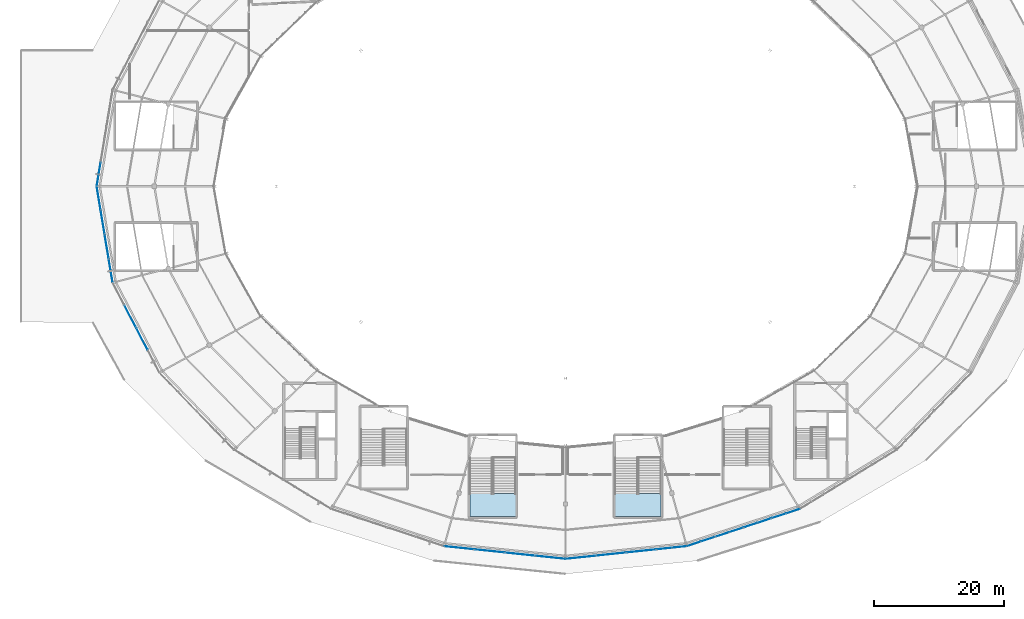
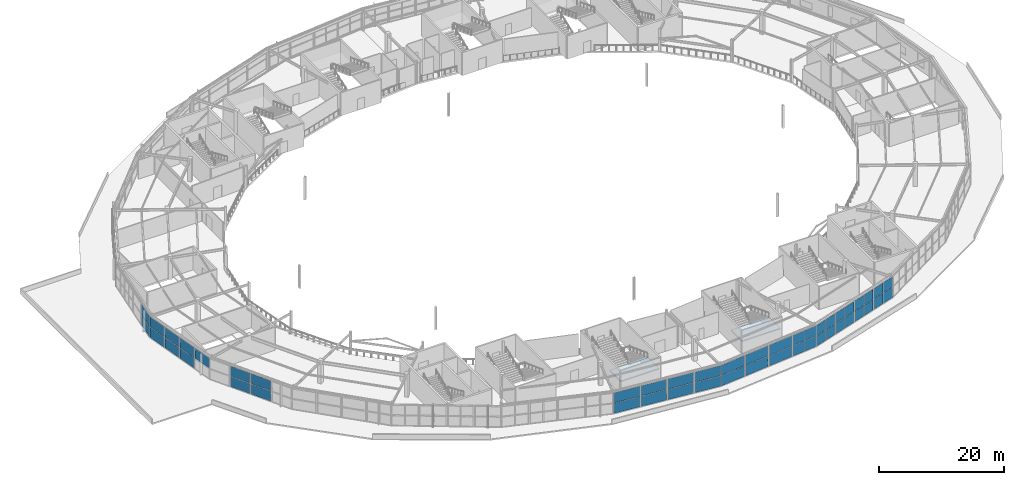
# One storey, part 94 of 126: 47 plates, 2 slabs, 21 elements without a shape of their own.
"""IFC4 building model written with IfcOpenShell, lengths in metres."""

from ifc_helpers import new_model, si_unit, direction, frame, origin, origin_2d, place, context, subcontext, project, spatial, polyline, rectangle, outline, extrude, material, layer, layer_set, type_object, element, aggregate, save


model = new_model("IFC4")

# Units and contexts
model_context = context("Model", 3, precision=1e-05, world=origin(), true_north=direction((0.0, 1.0)))
body_context = subcontext(model_context, "Body", "Model", "MODEL_VIEW")
ifc_project = project(units=[si_unit("LENGTHUNIT", "METRE"), si_unit("AREAUNIT", "SQUARE_METRE"), si_unit("VOLUMEUNIT", "CUBIC_METRE"), si_unit("PLANEANGLEUNIT", "RADIAN"), si_unit("MASSUNIT", "GRAM", prefix="KILO")], contexts=[model_context])

# Site, building, storey
site_placement = place(None, origin())
site = spatial("IfcSite", under=ifc_project, at=site_placement, CompositionType="ELEMENT")
building_placement = place(site_placement, origin())
building = spatial("IfcBuilding", under=site, at=building_placement, Name="Kalgoora Escarpment Arena", CompositionType="ELEMENT")
storey_placement = place(building_placement, frame((0.0, 0.0, 18.89990234375)))
storey = spatial("IfcBuildingStorey", under=building, at=storey_placement, Name="L04", CompositionType="ELEMENT", Elevation=18.89990234375)

# Curtain wall, plates
ifc_material_1 = material(Name=" Champagne anodised aluminium & double-glazed low-E", Category="aluminium")
ifc_layer_1 = layer(ifc_material_1, 0.157958984375)
ifc_layer_set_1 = layer_set([ifc_layer_1], Name="CW-UNIT-07")
curtain_wall_type_1 = type_object("IfcCurtainWallType", Name="CW-UNIT-07", PredefinedType="NOTDEFINED", material=ifc_layer_set_1)
curtain_wall_1_placement = place(storey_placement, origin())
curtain_wall_1 = element("IfcCurtainWall", 1, at=curtain_wall_1_placement, inside=storey, type_object=curtain_wall_type_1, Name="L04 unitised facade curtain wall 106", PredefinedType="NOTDEFINED")
ifc_material_2 = material(Name="Low-E double-glazed insulated glass", Category="glass")
ifc_layer_2 = layer(ifc_material_2, 0.028076171875)
ifc_layer_set_2 = layer_set([ifc_layer_2], Name="PLT-CW-GLAZ-28")
plate_type_1 = type_object("IfcPlateType", Name="PLT-CW-GLAZ-28", PredefinedType="CURTAIN_PANEL", material=ifc_layer_set_2)
plate_1_placement = place(storey_placement, frame((127.467529296875, 13.8701171875, 0.080078125), z_axis=(0.0, 0.0, 1.0), x_axis=(-0.949757785191, -0.312985861452, 0.0)))
plate_1 = element("IfcPlate", 2, at=plate_1_placement, type_object=plate_type_1, Name="CW-07 panel 1.1", PredefinedType="CURTAIN_PANEL", context=body_context, shape_type="SweptSolid", body=[
    extrude(rectangle(XDim=2.175537109375, YDim=0.028076171875, at=origin_2d()), origin(), (0.0, 0.0, 1.0), 2.0048828125),
])
plate_2_placement = place(storey_placement, frame((127.467529296875, 13.8701171875, 2.14501953125), z_axis=(0.0, 0.0, 1.0), x_axis=(-0.949757785191, -0.312985861452, 0.0)))
plate_2 = element("IfcPlate", 3, at=plate_2_placement, type_object=plate_type_1, Name="CW-07 panel 1.2", PredefinedType="CURTAIN_PANEL", context=body_context, shape_type="SweptSolid", body=[
    extrude(rectangle(XDim=2.175537109375, YDim=0.028076171875, at=origin_2d()), origin(), (0.0, 0.0, 1.0), 1.985107421875),
])
plate_3_placement = place(storey_placement, frame((125.339599609375, 13.168701171875, 0.080078125), z_axis=(0.0, 0.0, 1.0), x_axis=(-0.949757785191, -0.312985861452, 0.0)))
plate_3 = element("IfcPlate", 4, at=plate_3_placement, type_object=plate_type_1, Name="CW-07 panel 2.1", PredefinedType="CURTAIN_PANEL", context=body_context, shape_type="SweptSolid", body=[
    extrude(rectangle(XDim=2.175537109375, YDim=0.028076171875, at=origin_2d()), origin(), (0.0, 0.0, 1.0), 2.0048828125),
])
plate_4_placement = place(storey_placement, frame((125.339599609375, 13.168701171875, 2.14501953125), z_axis=(0.0, 0.0, 1.0), x_axis=(-0.949757785191, -0.312985861452, 0.0)))
plate_4 = element("IfcPlate", 5, at=plate_4_placement, type_object=plate_type_1, Name="CW-07 panel 2.2", PredefinedType="CURTAIN_PANEL", context=body_context, shape_type="SweptSolid", body=[
    extrude(rectangle(XDim=2.175537109375, YDim=0.028076171875, at=origin_2d()), origin(), (0.0, 0.0, 1.0), 1.985107421875),
])
aggregate(curtain_wall_1, [plate_1, plate_2, plate_3, plate_4])

ifc_material_3 = material(Name=" Champagne anodised aluminium & double-glazed low-E", Category="aluminium")
ifc_layer_3 = layer(ifc_material_3, 0.166015625)
ifc_layer_set_3 = layer_set([ifc_layer_3], Name="CW-UNIT-09")
curtain_wall_type_2 = type_object("IfcCurtainWallType", Name="CW-UNIT-09", PredefinedType="NOTDEFINED", material=ifc_layer_set_3)
curtain_wall_2_placement = place(storey_placement, origin())
curtain_wall_2 = element("IfcCurtainWall", 6, at=curtain_wall_2_placement, inside=storey, type_object=curtain_wall_type_2, Name="L04 unitised facade curtain wall 108", PredefinedType="NOTDEFINED")
plate_5_placement = place(storey_placement, frame((118.701171875, 10.981201171875, 0.080078125), z_axis=(0.0, 0.0, 1.0), x_axis=(-0.949763052265, -0.312969878028, 0.0)))
plate_5 = element("IfcPlate", 7, at=plate_5_placement, type_object=plate_type_1, Name="CW-09 panel 1.1", PredefinedType="CURTAIN_PANEL", context=body_context, shape_type="SweptSolid", body=[
    extrude(rectangle(XDim=2.150634765625, YDim=0.028076171875, at=origin_2d()), origin(), (0.0, 0.0, 1.0), 2.0048828125),
])
plate_6_placement = place(storey_placement, frame((118.701171875, 10.981201171875, 2.14501953125), z_axis=(0.0, 0.0, 1.0), x_axis=(-0.949763052265, -0.312969878028, 0.0)))
plate_6 = element("IfcPlate", 8, at=plate_6_placement, type_object=plate_type_1, Name="CW-09 panel 1.2", PredefinedType="CURTAIN_PANEL", context=body_context, shape_type="SweptSolid", body=[
    extrude(rectangle(XDim=2.150634765625, YDim=0.028076171875, at=origin_2d()), origin(), (0.0, 0.0, 1.0), 1.985107421875),
])
plate_7_placement = place(storey_placement, frame((116.596923828125, 10.287841796875, 0.080078125), z_axis=(0.0, 0.0, 1.0), x_axis=(-0.949763052265, -0.312969878028, 0.0)))
plate_7 = element("IfcPlate", 9, at=plate_7_placement, type_object=plate_type_1, Name="CW-09 panel 2.1", PredefinedType="CURTAIN_PANEL", context=body_context, shape_type="SweptSolid", body=[
    extrude(rectangle(XDim=2.150634765625, YDim=0.028076171875, at=origin_2d()), origin(), (0.0, 0.0, 1.0), 2.0048828125),
])
plate_8_placement = place(storey_placement, frame((116.596923828125, 10.287841796875, 2.14501953125), z_axis=(0.0, 0.0, 1.0), x_axis=(-0.949763052265, -0.312969878028, 0.0)))
plate_8 = element("IfcPlate", 10, at=plate_8_placement, type_object=plate_type_1, Name="CW-09 panel 2.2", PredefinedType="CURTAIN_PANEL", context=body_context, shape_type="SweptSolid", body=[
    extrude(rectangle(XDim=2.150634765625, YDim=0.028076171875, at=origin_2d()), origin(), (0.0, 0.0, 1.0), 1.985107421875),
])
aggregate(curtain_wall_2, [plate_5, plate_6, plate_7, plate_8])

ifc_material_4 = material(Name=" Champagne anodised aluminium & double-glazed low-E", Category="aluminium")
ifc_layer_4 = layer(ifc_material_4, 0.154052734375)
ifc_layer_set_4 = layer_set([ifc_layer_4], Name="CW-UNIT-11")
curtain_wall_type_3 = type_object("IfcCurtainWallType", Name="CW-UNIT-11", PredefinedType="NOTDEFINED", material=ifc_layer_set_4)
curtain_wall_3_placement = place(storey_placement, origin())
curtain_wall_3 = element("IfcCurtainWall", 11, at=curtain_wall_3_placement, inside=storey, type_object=curtain_wall_type_3, Name="L04 unitised facade curtain wall 110", PredefinedType="NOTDEFINED")
plate_9_placement = place(storey_placement, frame((109.952392578125, 8.359130859375, 0.0751953125), z_axis=(0.0, 0.0, 1.0), x_axis=(-0.994560810247, -0.10415754759, 0.0)))
plate_9 = element("IfcPlate", 12, at=plate_9_placement, type_object=plate_type_1, Name="CW-11 panel 1.1", PredefinedType="CURTAIN_PANEL", context=body_context, shape_type="SweptSolid", body=[
    extrude(rectangle(XDim=2.240234375, YDim=0.028076171875, at=origin_2d()), origin(), (0.0, 0.0, 1.0), 2.012451171875),
])
plate_10_placement = place(storey_placement, frame((109.952392578125, 8.359130859375, 2.142578125), z_axis=(0.0, 0.0, 1.0), x_axis=(-0.994560810247, -0.10415754759, 0.0)))
plate_10 = element("IfcPlate", 13, at=plate_10_placement, type_object=plate_type_1, Name="CW-11 panel 1.2", PredefinedType="CURTAIN_PANEL", context=body_context, shape_type="SweptSolid", body=[
    extrude(rectangle(XDim=2.240234375, YDim=0.028076171875, at=origin_2d()), origin(), (0.0, 0.0, 1.0), 1.992431640625),
])
plate_11_placement = place(storey_placement, frame((107.664794921875, 8.11962890625, 0.0751953125), z_axis=(0.0, 0.0, 1.0), x_axis=(-0.994560810247, -0.10415754759, 0.0)))
plate_11 = element("IfcPlate", 14, at=plate_11_placement, type_object=plate_type_1, Name="CW-11 panel 2.1", PredefinedType="CURTAIN_PANEL", context=body_context, shape_type="SweptSolid", body=[
    extrude(rectangle(XDim=2.240234375, YDim=0.028076171875, at=origin_2d()), origin(), (0.0, 0.0, 1.0), 2.012451171875),
])
plate_12_placement = place(storey_placement, frame((107.664794921875, 8.11962890625, 2.142578125), z_axis=(0.0, 0.0, 1.0), x_axis=(-0.994560810247, -0.10415754759, 0.0)))
plate_12 = element("IfcPlate", 15, at=plate_12_placement, type_object=plate_type_1, Name="CW-11 panel 2.2", PredefinedType="CURTAIN_PANEL", context=body_context, shape_type="SweptSolid", body=[
    extrude(rectangle(XDim=2.240234375, YDim=0.028076171875, at=origin_2d()), origin(), (0.0, 0.0, 1.0), 1.992431640625),
])
aggregate(curtain_wall_3, [plate_9, plate_10, plate_11, plate_12])

ifc_material_5 = material(Name=" Champagne anodised aluminium & double-glazed low-E", Category="aluminium")
ifc_layer_5 = layer(ifc_material_5, 0.162109375)
ifc_layer_set_5 = layer_set([ifc_layer_5], Name="CW-UNIT-13")
curtain_wall_type_4 = type_object("IfcCurtainWallType", Name="CW-UNIT-13", PredefinedType="NOTDEFINED", material=ifc_layer_set_5)
curtain_wall_4_placement = place(storey_placement, origin())
curtain_wall_4 = element("IfcCurtainWall", 16, at=curtain_wall_4_placement, inside=storey, type_object=curtain_wall_type_4, Name="L04 unitised facade curtain wall 112", PredefinedType="NOTDEFINED")
plate_13_placement = place(storey_placement, frame((99.41455078125, 7.25537109375, 0.0751953125), z_axis=(0.0, 0.0, 1.0), x_axis=(-0.994558216596, -0.104182310405, 0.0)))
plate_13 = element("IfcPlate", 17, at=plate_13_placement, type_object=plate_type_1, Name="CW-13 panel 1.1", PredefinedType="CURTAIN_PANEL", context=body_context, shape_type="SweptSolid", body=[
    extrude(rectangle(XDim=4.490234375, YDim=0.028076171875, at=origin_2d()), origin(), (0.0, 0.0, 1.0), 2.012451171875),
])
plate_14_placement = place(storey_placement, frame((99.41455078125, 7.25537109375, 2.142578125), z_axis=(0.0, 0.0, 1.0), x_axis=(-0.994558216596, -0.104182310405, 0.0)))
plate_14 = element("IfcPlate", 18, at=plate_14_placement, type_object=plate_type_1, Name="CW-13 panel 1.2", PredefinedType="CURTAIN_PANEL", context=body_context, shape_type="SweptSolid", body=[
    extrude(rectangle(XDim=4.490234375, YDim=0.028076171875, at=origin_2d()), origin(), (0.0, 0.0, 1.0), 1.992431640625),
])
aggregate(curtain_wall_4, [plate_13, plate_14])

ifc_material_6 = material(Name=" Champagne anodised aluminium & double-glazed low-E", Category="aluminium")
ifc_layer_6 = layer(ifc_material_6, 0.14990234375)
ifc_layer_set_6 = layer_set([ifc_layer_6], Name="CW-UNIT-15")
curtain_wall_type_5 = type_object("IfcCurtainWallType", Name="CW-UNIT-15", PredefinedType="NOTDEFINED", material=ifc_layer_set_6)
curtain_wall_5_placement = place(storey_placement, origin())
curtain_wall_5 = element("IfcCurtainWall", 19, at=curtain_wall_5_placement, inside=storey, type_object=curtain_wall_type_5, Name="L04 unitised facade curtain wall 114", PredefinedType="NOTDEFINED")
plate_15_placement = place(storey_placement, frame((90.094970703125, 6.761962890625, 0.0751953125), z_axis=(0.0, 0.0, 1.0), x_axis=(-0.994558587162, 0.104178772797, 0.0)))
plate_15 = element("IfcPlate", 20, at=plate_15_placement, type_object=plate_type_1, Name="CW-15 panel 1.1", PredefinedType="CURTAIN_PANEL", context=body_context, shape_type="SweptSolid", body=[
    extrude(rectangle(XDim=4.540283203125, YDim=0.028076171875, at=origin_2d()), origin(), (0.0, 0.0, 1.0), 2.00244140625),
])
plate_16_placement = place(storey_placement, frame((90.094970703125, 6.761962890625, 2.132568359375), z_axis=(0.0, 0.0, 1.0), x_axis=(-0.994558587162, 0.104178772797, 0.0)))
plate_16 = element("IfcPlate", 21, at=plate_16_placement, type_object=plate_type_1, Name="CW-15 panel 1.2", PredefinedType="CURTAIN_PANEL", context=body_context, shape_type="SweptSolid", body=[
    extrude(rectangle(XDim=4.540283203125, YDim=0.028076171875, at=origin_2d()), origin(), (0.0, 0.0, 1.0), 1.982421875),
])
aggregate(curtain_wall_5, [plate_15, plate_16])

ifc_material_7 = material(Name=" Champagne anodised aluminium & double-glazed low-E", Category="aluminium")
ifc_layer_7 = layer(ifc_material_7, 0.157958984375)
ifc_layer_set_7 = layer_set([ifc_layer_7], Name="CW-UNIT-17")
curtain_wall_type_6 = type_object("IfcCurtainWallType", Name="CW-UNIT-17", PredefinedType="NOTDEFINED", material=ifc_layer_set_7)
curtain_wall_6_placement = place(storey_placement, origin())
curtain_wall_6 = element("IfcCurtainWall", 22, at=curtain_wall_6_placement, inside=storey, type_object=curtain_wall_type_6, Name="L04 unitised facade curtain wall 116", PredefinedType="NOTDEFINED")
plate_17_placement = place(storey_placement, frame((80.700927734375, 7.74609375, 0.0751953125), z_axis=(0.0, 0.0, 1.0), x_axis=(-0.994558216596, 0.104182310405, 0.0)))
plate_17 = element("IfcPlate", 23, at=plate_17_placement, type_object=plate_type_1, Name="CW-17 panel 1.1", PredefinedType="CURTAIN_PANEL", context=body_context, shape_type="SweptSolid", body=[
    extrude(rectangle(XDim=4.490234375, YDim=0.028076171875, at=origin_2d()), origin(), (0.0, 0.0, 1.0), 2.00244140625),
])
plate_18_placement = place(storey_placement, frame((80.700927734375, 7.74609375, 2.132568359375), z_axis=(0.0, 0.0, 1.0), x_axis=(-0.994558216596, 0.104182310405, 0.0)))
plate_18 = element("IfcPlate", 24, at=plate_18_placement, type_object=plate_type_1, Name="CW-17 panel 1.2", PredefinedType="CURTAIN_PANEL", context=body_context, shape_type="SweptSolid", body=[
    extrude(rectangle(XDim=4.490234375, YDim=0.028076171875, at=origin_2d()), origin(), (0.0, 0.0, 1.0), 1.982421875),
])
aggregate(curtain_wall_6, [plate_17, plate_18])

curtain_wall_7_placement = place(storey_placement, origin())
curtain_wall_7 = element("IfcCurtainWall", 25, at=curtain_wall_7_placement, inside=storey, type_object=curtain_wall_type_4, Name="L04 unitised facade curtain wall 132", PredefinedType="NOTDEFINED")
plate_19_placement = place(storey_placement, frame((25.28564453125, 43.93798828125, 0.0751953125), z_axis=(0.0, 0.0, 1.0), x_axis=(-0.46179911912, 0.886984539651, 0.0)))
plate_19 = element("IfcPlate", 26, at=plate_19_placement, type_object=plate_type_1, Name="CW-13 panel 1.1", PredefinedType="CURTAIN_PANEL", context=body_context, shape_type="SweptSolid", body=[
    extrude(rectangle(XDim=3.695556640625, YDim=0.028076171875, at=origin_2d()), origin(), (0.0, 0.0, 1.0), 2.00244140625),
])
plate_20_placement = place(storey_placement, frame((25.28564453125, 43.93798828125, 2.132568359375), z_axis=(0.0, 0.0, 1.0), x_axis=(-0.46179911912, 0.886984539651, 0.0)))
plate_20 = element("IfcPlate", 27, at=plate_20_placement, type_object=plate_type_1, Name="CW-13 panel 1.2", PredefinedType="CURTAIN_PANEL", context=body_context, shape_type="SweptSolid", body=[
    extrude(rectangle(XDim=3.695556640625, YDim=0.028076171875, at=origin_2d()), origin(), (0.0, 0.0, 1.0), 1.982421875),
])
aggregate(curtain_wall_7, [plate_19, plate_20])

# Curtain wall, plate
curtain_wall_8_placement = place(storey_placement, origin())
curtain_wall_8 = element("IfcCurtainWall", 28, at=curtain_wall_8_placement, inside=storey, type_object=curtain_wall_type_5, Name="L04 unitised facade curtain wall 134", PredefinedType="NOTDEFINED")
plate_21_placement = place(storey_placement, frame((22.281005859375, 50.950439453125, 2.132568359375), z_axis=(0.0, 0.0, 1.0), x_axis=(-0.163263482966, 0.986582502951, 0.0)))
plate_21 = element("IfcPlate", 29, at=plate_21_placement, type_object=plate_type_1, Name="CW-15 panel 1.2", PredefinedType="CURTAIN_PANEL", context=body_context, shape_type="SweptSolid", body=[
    extrude(rectangle(XDim=3.607666015625, YDim=0.028076171875, at=origin_2d()), origin(), (0.0, 0.0, 1.0), 1.982421875),
])
aggregate(curtain_wall_8, [plate_21])

# Curtain wall, plates
curtain_wall_9_placement = place(storey_placement, origin())
curtain_wall_9 = element("IfcCurtainWall", 30, at=curtain_wall_9_placement, inside=storey, type_object=curtain_wall_type_6, Name="L04 unitised facade curtain wall 136", PredefinedType="NOTDEFINED")
plate_22_placement = place(storey_placement, frame((21.04345703125, 58.42919921875, 0.0751953125), z_axis=(0.0, 0.0, 1.0), x_axis=(-0.163252461087, 0.986584326831, 0.0)))
plate_22 = element("IfcPlate", 31, at=plate_22_placement, type_object=plate_type_1, Name="CW-17 panel 1.1", PredefinedType="CURTAIN_PANEL", context=body_context, shape_type="SweptSolid", body=[
    extrude(rectangle(XDim=3.557861328125, YDim=0.028076171875, at=origin_2d()), origin(), (0.0, 0.0, 1.0), 2.00244140625),
])
plate_23_placement = place(storey_placement, frame((21.04345703125, 58.42919921875, 2.132568359375), z_axis=(0.0, 0.0, 1.0), x_axis=(-0.163252461087, 0.986584326831, 0.0)))
plate_23 = element("IfcPlate", 32, at=plate_23_placement, type_object=plate_type_1, Name="CW-17 panel 1.2", PredefinedType="CURTAIN_PANEL", context=body_context, shape_type="SweptSolid", body=[
    extrude(rectangle(XDim=3.557861328125, YDim=0.028076171875, at=origin_2d()), origin(), (0.0, 0.0, 1.0), 1.982421875),
])
aggregate(curtain_wall_9, [plate_22, plate_23])

ifc_material_8 = material(Name=" Champagne anodised aluminium & double-glazed low-E", Category="aluminium")
ifc_layer_8 = layer(ifc_material_8, 0.166015625)
ifc_layer_set_8 = layer_set([ifc_layer_8], Name="CW-UNIT-19")
curtain_wall_type_7 = type_object("IfcCurtainWallType", Name="CW-UNIT-19", PredefinedType="NOTDEFINED", material=ifc_layer_set_8)
curtain_wall_10_placement = place(storey_placement, origin())
curtain_wall_10 = element("IfcCurtainWall", 33, at=curtain_wall_10_placement, inside=storey, type_object=curtain_wall_type_7, Name="L04 unitised facade curtain wall 138", PredefinedType="NOTDEFINED")
plate_24_placement = place(storey_placement, frame((20.422607421875, 65.8193359375, 0.0751953125), z_axis=(0.0, 0.0, 1.0), x_axis=(0.163263482966, 0.986582502951, 0.0)))
plate_24 = element("IfcPlate", 34, at=plate_24_placement, type_object=plate_type_1, Name="CW-19 panel 1.1", PredefinedType="CURTAIN_PANEL", context=body_context, shape_type="SweptSolid", body=[
    extrude(rectangle(XDim=3.607666015625, YDim=0.028076171875, at=origin_2d()), origin(), (0.0, 0.0, 1.0), 2.007568359375),
])
plate_25_placement = place(storey_placement, frame((20.422607421875, 65.8193359375, 2.1376953125), z_axis=(0.0, 0.0, 1.0), x_axis=(0.163263482966, 0.986582502951, 0.0)))
plate_25 = element("IfcPlate", 35, at=plate_25_placement, type_object=plate_type_1, Name="CW-19 panel 1.2", PredefinedType="CURTAIN_PANEL", context=body_context, shape_type="SweptSolid", body=[
    extrude(rectangle(XDim=3.607666015625, YDim=0.028076171875, at=origin_2d()), origin(), (0.0, 0.0, 1.0), 1.987548828125),
])
aggregate(curtain_wall_10, [plate_24, plate_25])

ifc_material_9 = material(Name=" Champagne anodised aluminium & double-glazed low-E", Category="aluminium")
ifc_layer_9 = layer(ifc_material_9, 0.162109375)
ifc_layer_set_9 = layer_set([ifc_layer_9], Name="CW-UNIT-08")
curtain_wall_type_8 = type_object("IfcCurtainWallType", Name="CW-UNIT-08", PredefinedType="NOTDEFINED", material=ifc_layer_set_9)
curtain_wall_11_placement = place(storey_placement, origin())
curtain_wall_11 = element("IfcCurtainWall", 36, at=curtain_wall_11_placement, inside=storey, type_object=curtain_wall_type_8, Name="L04 unitised facade curtain wall 107", PredefinedType="NOTDEFINED")
ifc_material_10 = material(Name="Acoustic laminated solar-control glass", Category="glass")
ifc_layer_10 = layer(ifc_material_10, 0.033935546875)
ifc_layer_set_10 = layer_set([ifc_layer_10], Name="PLT-CW-GLAZ-34")
plate_type_2 = type_object("IfcPlateType", Name="PLT-CW-GLAZ-34", PredefinedType="CURTAIN_PANEL", material=ifc_layer_set_10)
plate_26_placement = place(storey_placement, frame((123.066650390625, 12.419677734375, 0.080078125), z_axis=(0.0, 0.0, 1.0), x_axis=(-0.94975644114, -0.312989939956, 0.0)))
plate_26 = element("IfcPlate", 37, at=plate_26_placement, type_object=plate_type_2, Name="CW-08 panel 1.1", PredefinedType="CURTAIN_PANEL", context=body_context, shape_type="SweptSolid", body=[
    extrude(rectangle(XDim=2.150634765625, YDim=0.033935546875, at=origin_2d()), origin(), (0.0, 0.0, 1.0), 2.0048828125),
])
plate_27_placement = place(storey_placement, frame((123.066650390625, 12.419677734375, 2.14501953125), z_axis=(0.0, 0.0, 1.0), x_axis=(-0.94975644114, -0.312989939956, 0.0)))
plate_27 = element("IfcPlate", 38, at=plate_27_placement, type_object=plate_type_2, Name="CW-08 panel 1.2", PredefinedType="CURTAIN_PANEL", context=body_context, shape_type="SweptSolid", body=[
    extrude(rectangle(XDim=2.150634765625, YDim=0.033935546875, at=origin_2d()), origin(), (0.0, 0.0, 1.0), 1.985107421875),
])
plate_28_placement = place(storey_placement, frame((120.962158203125, 11.726318359375, 0.080078125), z_axis=(0.0, 0.0, 1.0), x_axis=(-0.94975644114, -0.312989939956, 0.0)))
plate_28 = element("IfcPlate", 39, at=plate_28_placement, type_object=plate_type_2, Name="CW-08 panel 2.1", PredefinedType="CURTAIN_PANEL", context=body_context, shape_type="SweptSolid", body=[
    extrude(rectangle(XDim=2.150634765625, YDim=0.033935546875, at=origin_2d()), origin(), (0.0, 0.0, 1.0), 2.0048828125),
])
plate_29_placement = place(storey_placement, frame((120.962158203125, 11.726318359375, 2.14501953125), z_axis=(0.0, 0.0, 1.0), x_axis=(-0.94975644114, -0.312989939956, 0.0)))
plate_29 = element("IfcPlate", 40, at=plate_29_placement, type_object=plate_type_2, Name="CW-08 panel 2.2", PredefinedType="CURTAIN_PANEL", context=body_context, shape_type="SweptSolid", body=[
    extrude(rectangle(XDim=2.150634765625, YDim=0.033935546875, at=origin_2d()), origin(), (0.0, 0.0, 1.0), 1.985107421875),
])
aggregate(curtain_wall_11, [plate_26, plate_27, plate_28, plate_29])

ifc_material_11 = material(Name=" Champagne anodised aluminium & double-glazed low-E", Category="aluminium")
ifc_layer_11 = layer(ifc_material_11, 0.14990234375)
ifc_layer_set_11 = layer_set([ifc_layer_11], Name="CW-UNIT-10")
curtain_wall_type_9 = type_object("IfcCurtainWallType", Name="CW-UNIT-10", PredefinedType="NOTDEFINED", material=ifc_layer_set_11)
curtain_wall_12_placement = place(storey_placement, origin())
curtain_wall_12 = element("IfcCurtainWall", 41, at=curtain_wall_12_placement, inside=storey, type_object=curtain_wall_type_9, Name="L04 unitised facade curtain wall 109", PredefinedType="NOTDEFINED")
plate_30_placement = place(storey_placement, frame((114.323974609375, 9.538818359375, 0.080078125), z_axis=(0.0, 0.0, 1.0), x_axis=(-0.949759939888, -0.312979322933, 0.0)))
plate_30 = element("IfcPlate", 42, at=plate_30_placement, type_object=plate_type_2, Name="CW-10 panel 1.1", PredefinedType="CURTAIN_PANEL", context=body_context, shape_type="SweptSolid", body=[
    extrude(rectangle(XDim=2.175537109375, YDim=0.033935546875, at=origin_2d()), origin(), (0.0, 0.0, 1.0), 2.0048828125),
])
plate_31_placement = place(storey_placement, frame((114.323974609375, 9.538818359375, 2.14501953125), z_axis=(0.0, 0.0, 1.0), x_axis=(-0.949759939888, -0.312979322933, 0.0)))
plate_31 = element("IfcPlate", 43, at=plate_31_placement, type_object=plate_type_2, Name="CW-10 panel 1.2", PredefinedType="CURTAIN_PANEL", context=body_context, shape_type="SweptSolid", body=[
    extrude(rectangle(XDim=2.175537109375, YDim=0.033935546875, at=origin_2d()), origin(), (0.0, 0.0, 1.0), 1.985107421875),
])
plate_32_placement = place(storey_placement, frame((112.19580078125, 8.83740234375, 0.080078125), z_axis=(0.0, 0.0, 1.0), x_axis=(-0.949759939888, -0.312979322933, 0.0)))
plate_32 = element("IfcPlate", 44, at=plate_32_placement, type_object=plate_type_2, Name="CW-10 panel 2.1", PredefinedType="CURTAIN_PANEL", context=body_context, shape_type="SweptSolid", body=[
    extrude(rectangle(XDim=2.175537109375, YDim=0.033935546875, at=origin_2d()), origin(), (0.0, 0.0, 1.0), 2.0048828125),
])
plate_33_placement = place(storey_placement, frame((112.19580078125, 8.83740234375, 2.14501953125), z_axis=(0.0, 0.0, 1.0), x_axis=(-0.949759939888, -0.312979322933, 0.0)))
plate_33 = element("IfcPlate", 45, at=plate_33_placement, type_object=plate_type_2, Name="CW-10 panel 2.2", PredefinedType="CURTAIN_PANEL", context=body_context, shape_type="SweptSolid", body=[
    extrude(rectangle(XDim=2.175537109375, YDim=0.033935546875, at=origin_2d()), origin(), (0.0, 0.0, 1.0), 1.985107421875),
])
aggregate(curtain_wall_12, [plate_30, plate_31, plate_32, plate_33])

ifc_material_12 = material(Name=" Champagne anodised aluminium & double-glazed low-E", Category="aluminium")
ifc_layer_12 = layer(ifc_material_12, 0.157958984375)
ifc_layer_set_12 = layer_set([ifc_layer_12], Name="CW-UNIT-12")
curtain_wall_type_10 = type_object("IfcCurtainWallType", Name="CW-UNIT-12", PredefinedType="NOTDEFINED", material=ifc_layer_set_12)
curtain_wall_13_placement = place(storey_placement, origin())
curtain_wall_13 = element("IfcCurtainWall", 46, at=curtain_wall_13_placement, inside=storey, type_object=curtain_wall_type_10, Name="L04 unitised facade curtain wall 111", PredefinedType="NOTDEFINED")
plate_34_placement = place(storey_placement, frame((104.09912109375, 7.74609375, 0.0751953125), z_axis=(0.0, 0.0, 1.0), x_axis=(-0.994558216596, -0.104182310405, 0.0)))
plate_34 = element("IfcPlate", 47, at=plate_34_placement, type_object=plate_type_2, Name="CW-12 panel 1.1", PredefinedType="CURTAIN_PANEL", context=body_context, shape_type="SweptSolid", body=[
    extrude(rectangle(XDim=4.490234375, YDim=0.033935546875, at=origin_2d()), origin(), (0.0, 0.0, 1.0), 2.012451171875),
])
plate_35_placement = place(storey_placement, frame((104.09912109375, 7.74609375, 2.142578125), z_axis=(0.0, 0.0, 1.0), x_axis=(-0.994558216596, -0.104182310405, 0.0)))
plate_35 = element("IfcPlate", 48, at=plate_35_placement, type_object=plate_type_2, Name="CW-12 panel 1.2", PredefinedType="CURTAIN_PANEL", context=body_context, shape_type="SweptSolid", body=[
    extrude(rectangle(XDim=4.490234375, YDim=0.033935546875, at=origin_2d()), origin(), (0.0, 0.0, 1.0), 1.992431640625),
])
aggregate(curtain_wall_13, [plate_34, plate_35])

ifc_material_13 = material(Name=" Champagne anodised aluminium & double-glazed low-E", Category="aluminium")
ifc_layer_13 = layer(ifc_material_13, 0.166015625)
ifc_layer_set_13 = layer_set([ifc_layer_13], Name="CW-UNIT-14")
curtain_wall_type_11 = type_object("IfcCurtainWallType", Name="CW-UNIT-14", PredefinedType="NOTDEFINED", material=ifc_layer_set_13)
curtain_wall_14_placement = place(storey_placement, origin())
curtain_wall_14 = element("IfcCurtainWall", 49, at=curtain_wall_14_placement, inside=storey, type_object=curtain_wall_type_11, Name="L04 unitised facade curtain wall 113", PredefinedType="NOTDEFINED")
plate_36_placement = place(storey_placement, frame((94.704833984375, 6.761962890625, 0.0751953125), z_axis=(0.0, 0.0, 1.0), x_axis=(-0.994558587162, -0.104178772797, 0.0)))
plate_36 = element("IfcPlate", 50, at=plate_36_placement, type_object=plate_type_2, Name="CW-14 panel 1.1", PredefinedType="CURTAIN_PANEL", context=body_context, shape_type="SweptSolid", body=[
    extrude(rectangle(XDim=4.540283203125, YDim=0.033935546875, at=origin_2d()), origin(), (0.0, 0.0, 1.0), 2.012451171875),
])
plate_37_placement = place(storey_placement, frame((94.704833984375, 6.761962890625, 2.142578125), z_axis=(0.0, 0.0, 1.0), x_axis=(-0.994558587162, -0.104178772797, 0.0)))
plate_37 = element("IfcPlate", 51, at=plate_37_placement, type_object=plate_type_2, Name="CW-14 panel 1.2", PredefinedType="CURTAIN_PANEL", context=body_context, shape_type="SweptSolid", body=[
    extrude(rectangle(XDim=4.540283203125, YDim=0.033935546875, at=origin_2d()), origin(), (0.0, 0.0, 1.0), 1.992431640625),
])
aggregate(curtain_wall_14, [plate_36, plate_37])

ifc_material_14 = material(Name=" Champagne anodised aluminium & double-glazed low-E", Category="aluminium")
ifc_layer_14 = layer(ifc_material_14, 0.154052734375)
ifc_layer_set_14 = layer_set([ifc_layer_14], Name="CW-UNIT-16")
curtain_wall_type_12 = type_object("IfcCurtainWallType", Name="CW-UNIT-16", PredefinedType="NOTDEFINED", material=ifc_layer_set_14)
curtain_wall_15_placement = place(storey_placement, origin())
curtain_wall_15 = element("IfcCurtainWall", 52, at=curtain_wall_15_placement, inside=storey, type_object=curtain_wall_type_12, Name="L04 unitised facade curtain wall 115", PredefinedType="NOTDEFINED")
plate_38_placement = place(storey_placement, frame((85.385498046875, 7.25537109375, 0.0751953125), z_axis=(0.0, 0.0, 1.0), x_axis=(-0.994558216596, 0.104182310405, 0.0)))
plate_38 = element("IfcPlate", 53, at=plate_38_placement, type_object=plate_type_2, Name="CW-16 panel 1.1", PredefinedType="CURTAIN_PANEL", context=body_context, shape_type="SweptSolid", body=[
    extrude(rectangle(XDim=4.490234375, YDim=0.033935546875, at=origin_2d()), origin(), (0.0, 0.0, 1.0), 2.00244140625),
])
plate_39_placement = place(storey_placement, frame((85.385498046875, 7.25537109375, 2.132568359375), z_axis=(0.0, 0.0, 1.0), x_axis=(-0.994558216596, 0.104182310405, 0.0)))
plate_39 = element("IfcPlate", 54, at=plate_39_placement, type_object=plate_type_2, Name="CW-16 panel 1.2", PredefinedType="CURTAIN_PANEL", context=body_context, shape_type="SweptSolid", body=[
    extrude(rectangle(XDim=4.490234375, YDim=0.033935546875, at=origin_2d()), origin(), (0.0, 0.0, 1.0), 1.982421875),
])
aggregate(curtain_wall_15, [plate_38, plate_39])

ifc_material_15 = material(Name=" Champagne anodised aluminium & double-glazed low-E", Category="aluminium")
ifc_layer_15 = layer(ifc_material_15, 0.162109375)
ifc_layer_set_15 = layer_set([ifc_layer_15], Name="CW-UNIT-18")
curtain_wall_type_13 = type_object("IfcCurtainWallType", Name="CW-UNIT-18", PredefinedType="NOTDEFINED", material=ifc_layer_set_15)
curtain_wall_16_placement = place(storey_placement, origin())
curtain_wall_16 = element("IfcCurtainWall", 55, at=curtain_wall_16_placement, inside=storey, type_object=curtain_wall_type_13, Name="L04 unitised facade curtain wall 117", PredefinedType="NOTDEFINED")
plate_40_placement = place(storey_placement, frame((75.991455078125, 8.2392578125, 0.0751953125), z_axis=(0.0, 0.0, 1.0), x_axis=(-0.994560810247, 0.10415754759, 0.0)))
plate_40 = element("IfcPlate", 56, at=plate_40_placement, type_object=plate_type_2, Name="CW-18 panel 1.1", PredefinedType="CURTAIN_PANEL", context=body_context, shape_type="SweptSolid", body=[
    extrude(rectangle(XDim=4.540283203125, YDim=0.033935546875, at=origin_2d()), origin(), (0.0, 0.0, 1.0), 2.00244140625),
])
plate_41_placement = place(storey_placement, frame((75.991455078125, 8.2392578125, 2.132568359375), z_axis=(0.0, 0.0, 1.0), x_axis=(-0.994560810247, 0.10415754759, 0.0)))
plate_41 = element("IfcPlate", 57, at=plate_41_placement, type_object=plate_type_2, Name="CW-18 panel 1.2", PredefinedType="CURTAIN_PANEL", context=body_context, shape_type="SweptSolid", body=[
    extrude(rectangle(XDim=4.540283203125, YDim=0.033935546875, at=origin_2d()), origin(), (0.0, 0.0, 1.0), 1.982421875),
])
aggregate(curtain_wall_16, [plate_40, plate_41])

curtain_wall_17_placement = place(storey_placement, origin())
curtain_wall_17 = element("IfcCurtainWall", 58, at=curtain_wall_17_placement, inside=storey, type_object=curtain_wall_type_10, Name="L04 unitised facade curtain wall 131", PredefinedType="NOTDEFINED")
plate_42_placement = place(storey_placement, frame((27.093994140625, 40.46484375, 0.0751953125), z_axis=(0.0, 0.0, 1.0), x_axis=(-0.46179911912, 0.886984539651, 0.0)))
plate_42 = element("IfcPlate", 59, at=plate_42_placement, type_object=plate_type_2, Name="CW-12 panel 1.1", PredefinedType="CURTAIN_PANEL", context=body_context, shape_type="SweptSolid", body=[
    extrude(rectangle(XDim=3.695556640625, YDim=0.033935546875, at=origin_2d()), origin(), (0.0, 0.0, 1.0), 2.00244140625),
])
plate_43_placement = place(storey_placement, frame((27.093994140625, 40.46484375, 2.132568359375), z_axis=(0.0, 0.0, 1.0), x_axis=(-0.46179911912, 0.886984539651, 0.0)))
plate_43 = element("IfcPlate", 60, at=plate_43_placement, type_object=plate_type_2, Name="CW-12 panel 1.2", PredefinedType="CURTAIN_PANEL", context=body_context, shape_type="SweptSolid", body=[
    extrude(rectangle(XDim=3.695556640625, YDim=0.033935546875, at=origin_2d()), origin(), (0.0, 0.0, 1.0), 1.982421875),
])
aggregate(curtain_wall_17, [plate_42, plate_43])

curtain_wall_18_placement = place(storey_placement, origin())
curtain_wall_18 = element("IfcCurtainWall", 61, at=curtain_wall_18_placement, inside=storey, type_object=curtain_wall_type_12, Name="L04 unitised facade curtain wall 135", PredefinedType="NOTDEFINED")
plate_44_placement = place(storey_placement, frame((21.660400390625, 54.7021484375, 0.0751953125), z_axis=(0.0, 0.0, 1.0), x_axis=(-0.163252461087, 0.986584326831, 0.0)))
plate_44 = element("IfcPlate", 62, at=plate_44_placement, type_object=plate_type_2, Name="CW-16 panel 1.1", PredefinedType="CURTAIN_PANEL", context=body_context, shape_type="SweptSolid", body=[
    extrude(rectangle(XDim=3.557861328125, YDim=0.033935546875, at=origin_2d()), origin(), (0.0, 0.0, 1.0), 2.00244140625),
])
plate_45_placement = place(storey_placement, frame((21.660400390625, 54.7021484375, 2.132568359375), z_axis=(0.0, 0.0, 1.0), x_axis=(-0.163252461087, 0.986584326831, 0.0)))
plate_45 = element("IfcPlate", 63, at=plate_45_placement, type_object=plate_type_2, Name="CW-16 panel 1.2", PredefinedType="CURTAIN_PANEL", context=body_context, shape_type="SweptSolid", body=[
    extrude(rectangle(XDim=3.557861328125, YDim=0.033935546875, at=origin_2d()), origin(), (0.0, 0.0, 1.0), 1.982421875),
])
aggregate(curtain_wall_18, [plate_44, plate_45])

curtain_wall_19_placement = place(storey_placement, origin())
curtain_wall_19 = element("IfcCurtainWall", 64, at=curtain_wall_19_placement, inside=storey, type_object=curtain_wall_type_13, Name="L04 unitised facade curtain wall 137", PredefinedType="NOTDEFINED")
plate_46_placement = place(storey_placement, frame((20.422607421875, 62.1806640625, 0.0751953125), z_axis=(0.0, 0.0, 1.0), x_axis=(-0.163263482966, 0.986582502951, 0.0)))
plate_46 = element("IfcPlate", 65, at=plate_46_placement, type_object=plate_type_2, Name="CW-18 panel 1.1", PredefinedType="CURTAIN_PANEL", context=body_context, shape_type="SweptSolid", body=[
    extrude(rectangle(XDim=3.607666015625, YDim=0.033935546875, at=origin_2d()), origin(), (0.0, 0.0, 1.0), 2.00244140625),
])
plate_47_placement = place(storey_placement, frame((20.422607421875, 62.1806640625, 2.132568359375), z_axis=(0.0, 0.0, 1.0), x_axis=(-0.163263482966, 0.986582502951, 0.0)))
plate_47 = element("IfcPlate", 66, at=plate_47_placement, type_object=plate_type_2, Name="CW-18 panel 1.2", PredefinedType="CURTAIN_PANEL", context=body_context, shape_type="SweptSolid", body=[
    extrude(rectangle(XDim=3.607666015625, YDim=0.033935546875, at=origin_2d()), origin(), (0.0, 0.0, 1.0), 1.982421875),
])
aggregate(curtain_wall_19, [plate_46, plate_47])

# Stair, slab
ifc_material_16 = material(Name="Precast concrete N50 (fc' 50 MPa)", Category="concrete")
stair_type_1 = type_object("IfcStairType", Name="STR-STAD-2", PredefinedType="HALF_TURN_STAIR", material=ifc_material_16)
stair_1_placement = place(storey_placement, origin())
stair_1 = element("IfcStair", 67, at=stair_1_placement, inside=storey, type_object=stair_type_1, Name="Fire-isolated exit stair ST14 (L04)", PredefinedType="HALF_TURN_STAIR")
ifc_material_17 = material(Name="Concrete N40 (fc' 40 MPa)", Category="concrete")
ifc_layer_16 = layer(ifc_material_17, 0.219970703125)
ifc_layer_set_16 = layer_set([ifc_layer_16], Name="SLB-ST-LAND-220")
slab_type = type_object("IfcSlabType", Name="SLB-ST-LAND-220", PredefinedType="LANDING", material=ifc_layer_set_16)
slab_1_placement = place(storey_placement, frame((0.0, 0.0, 2.030029296875)))
slab_1 = element("IfcSlab", 68, at=slab_1_placement, type_object=slab_type, Name="ST14 L04 half-landing", PredefinedType="LANDING", context=body_context, shape_type="SweptSolid", body=[
    extrude(outline(polyline([(84.75, 16.60009765625), (84.75, 13.050048828125), (77.64990234375, 13.050048828125), (77.64990234375, 16.60009765625), (84.75, 16.60009765625)])), origin(), (0.0, 0.0, 1.0), 0.219970703125),
])
aggregate(stair_1, [slab_1])

ifc_material_18 = material(Name="Precast concrete N50 (fc' 50 MPa)", Category="concrete")
stair_type_2 = type_object("IfcStairType", Name="STR-STAD-3", PredefinedType="HALF_TURN_STAIR", material=ifc_material_18)
stair_2_placement = place(storey_placement, origin())
stair_2 = element("IfcStair", 69, at=stair_2_placement, inside=storey, type_object=stair_type_2, Name="Fire-isolated exit stair ST15 (L04)", PredefinedType="HALF_TURN_STAIR")
slab_2_placement = place(storey_placement, frame((0.0, 0.0, 2.030029296875)))
slab_2 = element("IfcSlab", 70, at=slab_2_placement, type_object=slab_type, Name="ST15 L04 half-landing", PredefinedType="LANDING", context=body_context, shape_type="SweptSolid", body=[
    extrude(outline(polyline([(107.14990234375, 16.60009765625), (107.14990234375, 13.050048828125), (100.050048828125, 13.050048828125), (100.050048828125, 16.60009765625), (107.14990234375, 16.60009765625)])), origin(), (0.0, 0.0, 1.0), 0.219970703125),
])
aggregate(stair_2, [slab_2])

save(model, "model.ifc")
